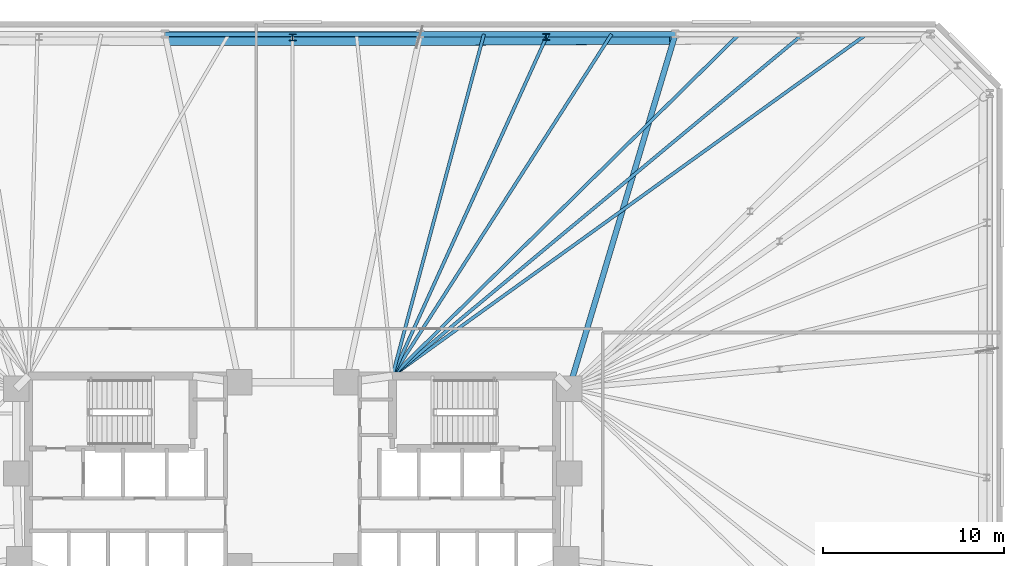
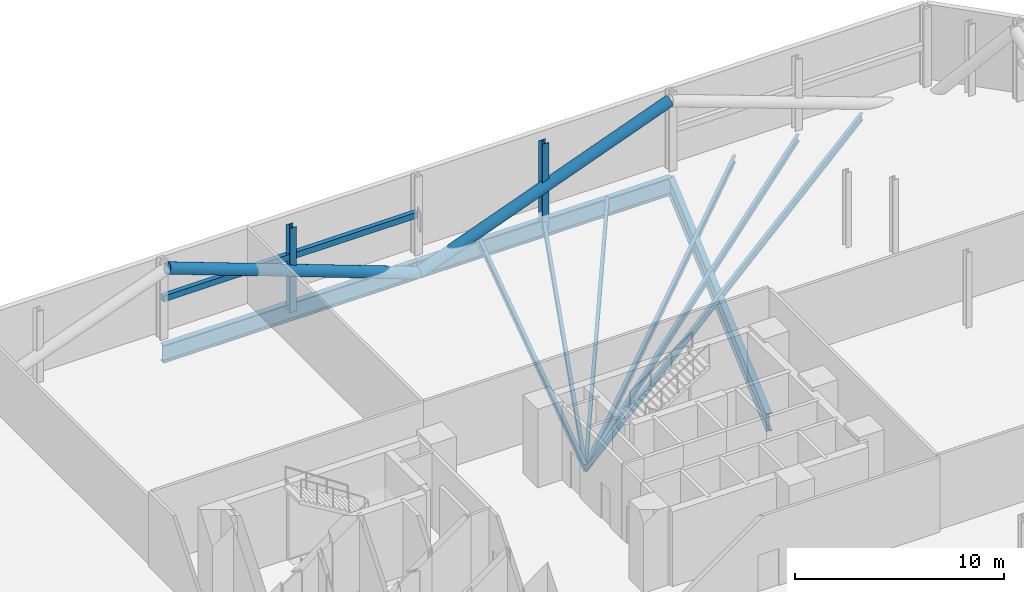
# One storey, part 9 of 17: 9 beams, 5 members.
"""IFC4 building model written with IfcOpenShell, lengths in metres."""

from ifc_helpers import new_model, si_unit, direction, frame, origin, origin_2d, place, context, subcontext, project, spatial, hollow_rectangle, hollow_circle, i_section, extrude, material, material_profile, profile_set, type_object, element, save


model = new_model("IFC4")

# Units and contexts
model_context = context("Model", 3, precision=1e-05, world=origin(), true_north=direction((0.0, 1.0)))
body_context = subcontext(model_context, "Body", "Model", "MODEL_VIEW")
ifc_project = project(units=[si_unit("LENGTHUNIT", "METRE"), si_unit("AREAUNIT", "SQUARE_METRE"), si_unit("VOLUMEUNIT", "CUBIC_METRE"), si_unit("PLANEANGLEUNIT", "RADIAN"), si_unit("MASSUNIT", "GRAM", prefix="KILO")], contexts=[model_context])

# Site, building, storey
site_placement = place(None, origin())
site = spatial("IfcSite", under=ifc_project, at=site_placement, CompositionType="ELEMENT")
building_placement = place(site_placement, origin())
building = spatial("IfcBuilding", under=site, at=building_placement, Name="Menara Jurai Vektor", CompositionType="ELEMENT")
storey_placement = place(building_placement, frame((0.0, 0.0, 9.60009765625)))
storey = spatial("IfcBuildingStorey", under=building, at=storey_placement, Name="L01", CompositionType="ELEMENT", Elevation=9.60009765625)

# Beams
ifc_material_1 = material(Name="Steel S460", Category="steel")
ifc_material_profile_1 = material_profile(ifc_material_1, i_section(OverallWidth=0.30908203125, OverallDepth=1.035888671875, WebThickness=0.030029296875, FlangeThickness=0.053955078125, FilletRadius=0.030029296875, at=origin_2d()), Name="UKB 1016x305x487")
ifc_profile_set_1 = profile_set([ifc_material_profile_1], Name="Steel S460")
beam_type_1 = type_object("IfcBeamType", Name="STR-BM-TR1016", PredefinedType="BEAM", material=ifc_profile_set_1)
beam_1_placement = place(storey_placement, frame((21.106689453125, 24.449951171875, -0.923095703125), z_axis=(-1.0, 0.0, 0.0), x_axis=(0.0, -1.0, 0.0)))
element("IfcBeam", 1, at=beam_1_placement, inside=storey, type_object=beam_type_1, Name="Belt Truss Bottom Chord L01-12", PredefinedType="BEAM", context=body_context, shape_type="SweptSolid", body=[
    extrude(i_section(OverallWidth=0.30908203125, OverallDepth=1.035888671875, WebThickness=0.030029296875, FlangeThickness=0.053955078125, FilletRadius=0.030029296875, at=origin_2d()), origin(), (0.0, 0.0, 1.0), 14.071044921875),
])
beam_2_placement = place(storey_placement, frame((21.106689453125, 24.449951171875, -0.923095703125), z_axis=(-0.286973617166, -0.957938486047, 0.0), x_axis=(0.957938486047, -0.286973617166, 0.0)))
element("IfcBeam", 2, at=beam_2_placement, inside=storey, type_object=beam_type_1, Name="Outrigger Transfer Girder L01-N2", PredefinedType="BEAM", context=body_context, shape_type="SweptSolid", body=[
    extrude(i_section(OverallWidth=0.30908203125, OverallDepth=1.035888671875, WebThickness=0.030029296875, FlangeThickness=0.053955078125, FilletRadius=0.030029296875, at=origin_2d()), origin(), (0.0, 0.0, 1.0), 20.408447265625),
])
beam_3_placement = place(storey_placement, frame((7.03564453125, 24.449951171875, -0.923095703125), z_axis=(-1.0, 0.0, 0.0), x_axis=(0.0, -1.0, 0.0)))
element("IfcBeam", 3, at=beam_3_placement, inside=storey, type_object=beam_type_1, Name="Belt Truss Bottom Chord L01-13", PredefinedType="BEAM", context=body_context, shape_type="SweptSolid", body=[
    extrude(i_section(OverallWidth=0.30908203125, OverallDepth=1.035888671875, WebThickness=0.030029296875, FlangeThickness=0.053955078125, FilletRadius=0.030029296875, at=origin_2d()), origin(), (0.0, 0.0, 1.0), 14.0712890625),
])

# Members
ifc_material_profile_2 = material_profile(ifc_material_1, hollow_circle(Radius=0.304931640625, WallThickness=0.02490234375, at=origin_2d()), Name="CHS 610x25")
ifc_profile_set_2 = profile_set([ifc_material_profile_2], Name="Steel S460")
member_type_1 = type_object("IfcMemberType", Name="STR-BR-610", PredefinedType="BRACE", material=ifc_profile_set_2)
member_1_placement = place(storey_placement, frame((6.94140625, 24.123291015625, -0.923095703125), z_axis=(0.938268373414, 0.004665794997, 0.345876697405), x_axis=(-0.004972710837, 0.999987635997, 0.0)))
element("IfcMember", 4, at=member_1_placement, inside=storey, type_object=member_type_1, Name="Belt Truss Web Diagonal L01-12", PredefinedType="BRACE", context=body_context, shape_type="SweptSolid", body=[
    extrude(hollow_circle(Radius=0.304931640625, WallThickness=0.02490234375, at=origin_2d()), origin(), (0.0, 0.0, 1.0), 14.860595703125),
])
member_2_placement = place(storey_placement, frame((6.94140625, 24.123291015625, -0.923095703125), z_axis=(-0.93779033167, 0.0, 0.347202093638), x_axis=(0.0, -1.0, 0.0)))
element("IfcMember", 5, at=member_2_placement, inside=storey, type_object=member_type_1, Name="Belt Truss Web Diagonal L01-13", PredefinedType="BRACE", context=body_context, shape_type="SweptSolid", body=[
    extrude(hollow_circle(Radius=0.304931640625, WallThickness=0.02490234375, at=origin_2d()), origin(), (0.0, 0.0, 1.0), 14.8037109375),
])
ifc_material_profile_3 = material_profile(ifc_material_1, hollow_rectangle(XDim=0.25, YDim=0.35009765625, WallThickness=0.012451171875, at=origin_2d()), Name="RHS 350x250x12.5")
ifc_profile_set_3 = profile_set([ifc_material_profile_3], Name="Steel S460")
member_type_2 = type_object("IfcMemberType", Name="STR-CH-RHS350", PredefinedType="CHORD", material=ifc_profile_set_3)
member_3_placement = place(storey_placement, frame((7.03564453125, 24.449951171875, 2.2998046875), z_axis=(-1.0, 0.0, 0.0), x_axis=(0.0, -1.0, 0.0)))
element("IfcMember", 6, at=member_3_placement, inside=storey, type_object=member_type_2, Name="Belt Truss Mid Chord L01-13", PredefinedType="CHORD", context=body_context, shape_type="SweptSolid", body=[
    extrude(hollow_rectangle(XDim=0.25, YDim=0.35009765625, WallThickness=0.012451171875, at=origin_2d()), origin(), (0.0, 0.0, 1.0), 14.0712890625),
])

# Beams
ifc_material_2 = material(Name="Steel S355", Category="steel")
ifc_material_profile_4 = material_profile(ifc_material_2, i_section(OverallWidth=0.178955078125, OverallDepth=0.408935546875, WebThickness=0.009033203125, FlangeThickness=0.013916015625, FilletRadius=0.010009765625, at=origin_2d()), Name="UKB 406x178x67")
ifc_profile_set_4 = profile_set([ifc_material_profile_4], Name="Steel S355")
beam_type_2 = type_object("IfcBeamType", Name="STR-JS-406", PredefinedType="JOIST", material=ifc_profile_set_4)
beam_4_placement = place(storey_placement, frame((31.659912109375, 24.449951171875, -0.609619140625), z_axis=(-0.81131785733, -0.584605280833, 0.0), x_axis=(0.584605280833, -0.81131785733, 0.0)))
element("IfcBeam", 7, at=beam_4_placement, inside=storey, type_object=beam_type_2, Name="Radial Secondary Floor Joist L01-JS16", PredefinedType="JOIST", context=body_context, shape_type="SweptSolid", body=[
    extrude(i_section(OverallWidth=0.178955078125, OverallDepth=0.408935546875, WebThickness=0.009033203125, FlangeThickness=0.013916015625, FilletRadius=0.010009765625, at=origin_2d()), origin(), (0.0, 0.0, 1.0), 32.24365234375),
])
beam_5_placement = place(storey_placement, frame((28.142333984375, 24.449951171875, -0.609619140625), z_axis=(-0.76853431665, -0.639808568347, 0.0), x_axis=(0.639808568347, -0.76853431665, 0.0)))
element("IfcBeam", 8, at=beam_5_placement, inside=storey, type_object=beam_type_2, Name="Radial Secondary Floor Joist L01-JS17", PredefinedType="JOIST", context=body_context, shape_type="SweptSolid", body=[
    extrude(i_section(OverallWidth=0.178955078125, OverallDepth=0.408935546875, WebThickness=0.009033203125, FlangeThickness=0.013916015625, FilletRadius=0.010009765625, at=origin_2d()), origin(), (0.0, 0.0, 1.0), 29.461669921875),
])
beam_6_placement = place(storey_placement, frame((24.62451171875, 24.449951171875, -0.609619140625), z_axis=(-0.712202462998, -0.70197411042, 0.0), x_axis=(0.70197411042, -0.712202462998, 0.0)))
element("IfcBeam", 9, at=beam_6_placement, inside=storey, type_object=beam_type_2, Name="Radial Secondary Floor Joist L01-JS18", PredefinedType="JOIST", context=body_context, shape_type="SweptSolid", body=[
    extrude(i_section(OverallWidth=0.178955078125, OverallDepth=0.408935546875, WebThickness=0.009033203125, FlangeThickness=0.013916015625, FilletRadius=0.010009765625, at=origin_2d()), origin(), (0.0, 0.0, 1.0), 26.8525390625),
])
beam_7_placement = place(storey_placement, frame((17.5888671875, 24.449951171875, -0.609619140625), z_axis=(-0.53984422461, -0.841764939372, 0.0), x_axis=(0.841764939372, -0.53984422461, 0.0)))
element("IfcBeam", 10, at=beam_7_placement, inside=storey, type_object=beam_type_2, Name="Radial Secondary Floor Joist L01-JS19", PredefinedType="JOIST", context=body_context, shape_type="SweptSolid", body=[
    extrude(i_section(OverallWidth=0.178955078125, OverallDepth=0.408935546875, WebThickness=0.009033203125, FlangeThickness=0.013916015625, FilletRadius=0.010009765625, at=origin_2d()), origin(), (0.0, 0.0, 1.0), 22.393310546875),
])
beam_8_placement = place(storey_placement, frame((14.071044921875, 24.449951171875, -0.609619140625), z_axis=(-0.413920197297, -0.910313171535, 0.0), x_axis=(0.910313171535, -0.413920197297, 0.0)))
element("IfcBeam", 11, at=beam_8_placement, inside=storey, type_object=beam_type_2, Name="Radial Secondary Floor Joist L01-JS20", PredefinedType="JOIST", context=body_context, shape_type="SweptSolid", body=[
    extrude(i_section(OverallWidth=0.178955078125, OverallDepth=0.408935546875, WebThickness=0.009033203125, FlangeThickness=0.013916015625, FilletRadius=0.010009765625, at=origin_2d()), origin(), (0.0, 0.0, 1.0), 20.70703125),
])
beam_9_placement = place(storey_placement, frame((10.55322265625, 24.449951171875, -0.609619140625), z_axis=(-0.258934723238, -0.965894823002, 0.0), x_axis=(0.965894823002, -0.258934723238, 0.0)))
element("IfcBeam", 12, at=beam_9_placement, inside=storey, type_object=beam_type_2, Name="Radial Secondary Floor Joist L01-JS21", PredefinedType="JOIST", context=body_context, shape_type="SweptSolid", body=[
    extrude(i_section(OverallWidth=0.178955078125, OverallDepth=0.408935546875, WebThickness=0.009033203125, FlangeThickness=0.013916015625, FilletRadius=0.010009765625, at=origin_2d()), origin(), (0.0, 0.0, 1.0), 19.515380859375),
])

# Members
ifc_material_profile_5 = material_profile(ifc_material_1, i_section(OverallWidth=0.375, OverallDepth=0.375, WebThickness=0.01708984375, FlangeThickness=0.027099609375, FilletRadius=0.014892578125, at=origin_2d()), Name="UKC 356x368x202")
ifc_profile_set_5 = profile_set([ifc_material_profile_5], Name="Steel S460")
member_type_3 = type_object("IfcMemberType", Name="STR-POST-368", PredefinedType="POST", material=ifc_profile_set_5)
for number, where, z_axis, x_axis, name in (
    (13, (13.981201171875, 24.2939453125, -0.755126953125), (0.0, 0.0, 1.0), (1.0, 0.0, 0.0), "Belt Truss Vertical Web Post L01-12"),
    (14, (0.0, 24.27001953125, -0.755126953125), (0.0, 0.0, 1.0), (1.0, 0.0, 0.0), "Belt Truss Vertical Web Post L01-13"),
):
    element("IfcMember", number, at=place(storey_placement, frame(where, z_axis=z_axis, x_axis=x_axis)), inside=storey, type_object=member_type_3, Name=name, PredefinedType="POST", context=body_context, shape_type="SweptSolid", body=[
        extrude(i_section(OverallWidth=0.375, OverallDepth=0.375, WebThickness=0.01708984375, FlangeThickness=0.027099609375, FilletRadius=0.014892578125, at=origin_2d()), origin(), (0.0, 0.0, 1.0), 4.929931640625),
    ])

save(model, "model.ifc")
